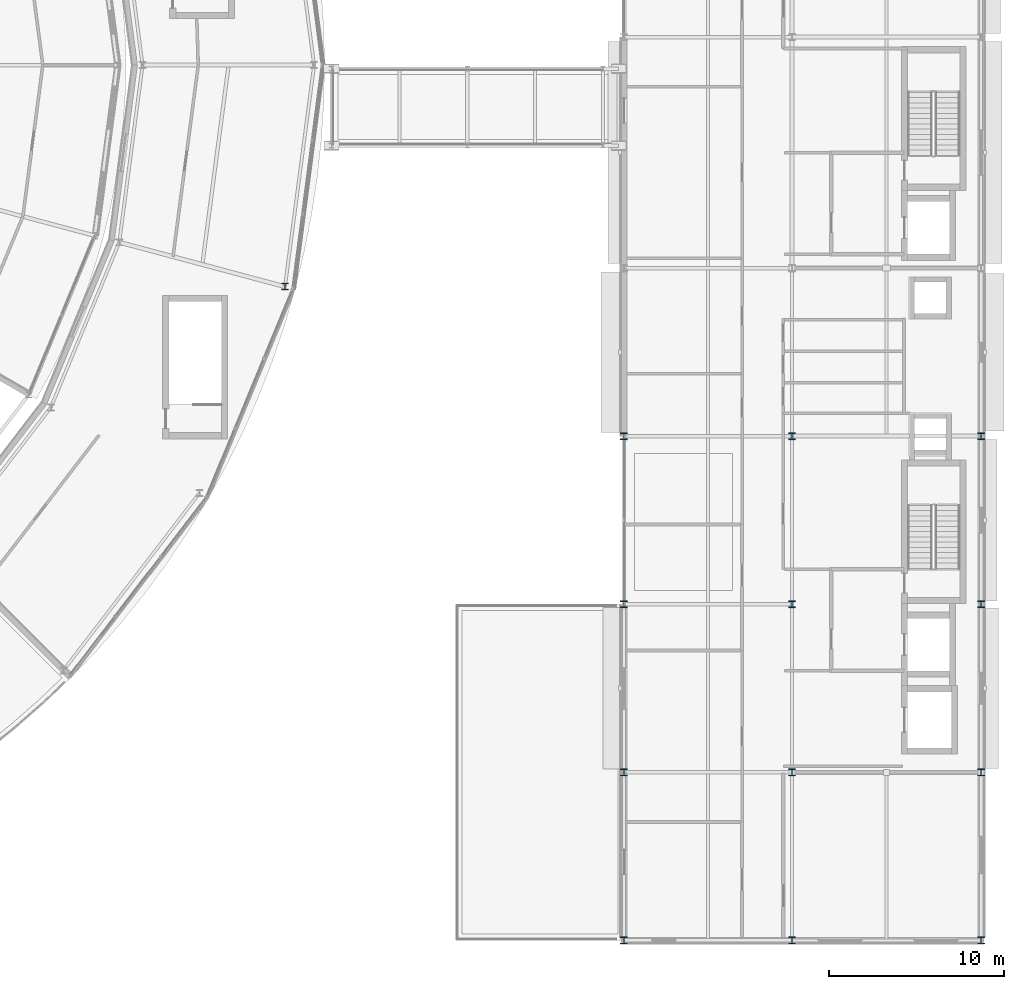
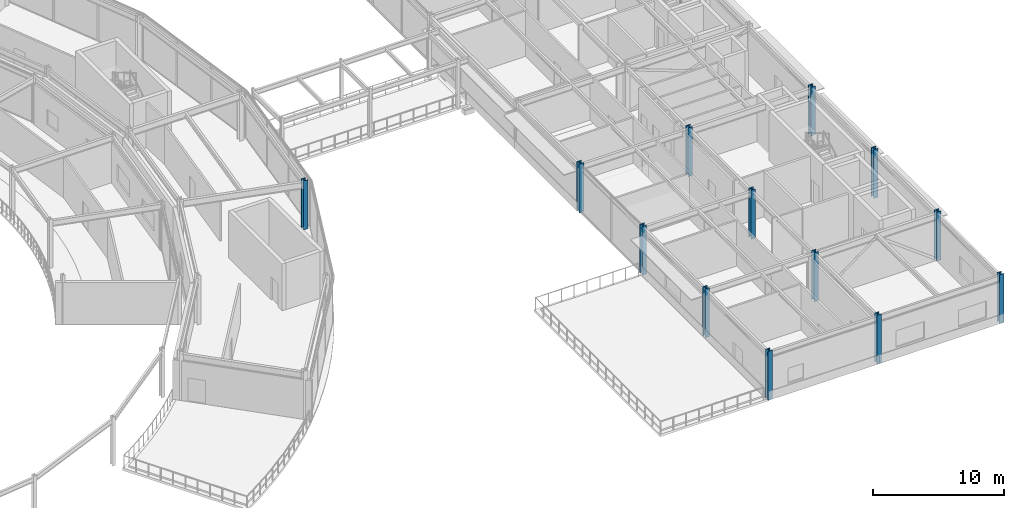
# One storey, part 17 of 157: 13 columns.
"""IFC4 building model written with IfcOpenShell, lengths in metres."""

from ifc_helpers import new_model, si_unit, direction, frame, origin, origin_2d, place, context, subcontext, project, spatial, i_section, extrude, material, material_profile, profile_set, type_object, element, save


model = new_model("IFC4")

# Units and contexts
model_context = context("Model", 3, precision=1e-05, world=origin(), true_north=direction((0.0, 1.0)))
body_context = subcontext(model_context, "Body", "Model", "MODEL_VIEW")
ifc_project = project(units=[si_unit("LENGTHUNIT", "METRE"), si_unit("AREAUNIT", "SQUARE_METRE"), si_unit("VOLUMEUNIT", "CUBIC_METRE"), si_unit("PLANEANGLEUNIT", "RADIAN"), si_unit("MASSUNIT", "GRAM", prefix="KILO")], contexts=[model_context])

# Site, building, storey
site_placement = place(None, origin())
site = spatial("IfcSite", under=ifc_project, at=site_placement, CompositionType="ELEMENT")
building_placement = place(site_placement, origin())
building = spatial("IfcBuilding", under=site, at=building_placement, Name="Almandine Court Research Institute", CompositionType="ELEMENT")
storey_placement = place(building_placement, frame((0.0, 0.0, 5.25)))
storey = spatial("IfcBuildingStorey", under=building, at=storey_placement, Name="L01", CompositionType="ELEMENT", Elevation=5.25)

# Columns
ifc_material = material(Name="Steel ASTM A992 Grade 50", Category="steel")
ifc_material_profile_1 = material_profile(ifc_material, i_section(OverallWidth=0.39794921875, OverallDepth=0.386962890625, WebThickness=0.02392578125, FlangeThickness=0.0390625, at=origin_2d()), Name="W360x262")
ifc_profile_set_1 = profile_set([ifc_material_profile_1], Name="Steel ASTM A992 Grade 50")
column_type_1 = type_object("IfcColumnType", Name="Col-C-W01", PredefinedType="COLUMN", material=ifc_profile_set_1)
for number, where, z_axis, x_axis, name in (
    (1, (153.60009765625, 15.60009765625, 0.0), (0.0, 0.0, 1.0), (1.0, 0.0, 0.0), "L01 V4 Column V4-X2Y2"),
    (2, (153.60009765625, 25.199951171875, 0.0), (0.0, 0.0, 1.0), (1.0, 0.0, 0.0), "L01 V4 Column V4-X2Y3"),
    (3, (153.60009765625, 34.800048828125, 0.0), (0.0, 0.0, 1.0), (1.0, 0.0, 0.0), "L01 V4 Column V4-X2Y4"),
    (4, (163.199951171875, 15.60009765625, 0.0), (0.0, 0.0, 1.0), (1.0, 0.0, 0.0), "L01 V4 Column V4-X3Y2"),
    (5, (163.199951171875, 25.199951171875, 0.0), (0.0, 0.0, 1.0), (1.0, 0.0, 0.0), "L01 V4 Column V4-X3Y3"),
    (6, (163.199951171875, 34.800048828125, 0.0), (0.0, 0.0, 1.0), (1.0, 0.0, 0.0), "L01 V4 Column V4-X3Y4"),
):
    element("IfcColumn", number, at=place(storey_placement, frame(where, z_axis=z_axis, x_axis=x_axis)), inside=storey, type_object=column_type_1, Name=name, PredefinedType="COLUMN", context=body_context, shape_type="SweptSolid", body=[
        extrude(i_section(OverallWidth=0.39794921875, OverallDepth=0.386962890625, WebThickness=0.02392578125, FlangeThickness=0.0390625, at=origin_2d()), origin(), (0.0, 0.0, 1.0), 4.550048828125),
    ])
ifc_material_profile_2 = material_profile(ifc_material, i_section(OverallWidth=0.39794921875, OverallDepth=0.386962890625, WebThickness=0.02392578125, FlangeThickness=0.0390625, at=origin_2d()), Name="W360x262")
ifc_profile_set_2 = profile_set([ifc_material_profile_2], Name="Steel ASTM A992 Grade 50")
column_type_2 = type_object("IfcColumnType", Name="Col-C-W01-E", PredefinedType="COLUMN", material=ifc_profile_set_2)
for number, where, z_axis, x_axis, name in (
    (7, (153.60009765625, 6.0, 0.0), (0.0, 0.0, 1.0), (1.0, 0.0, 0.0), "L01 V4 Column V4-X2Y1"),
    (8, (163.199951171875, 6.0, 0.0), (0.0, 0.0, 1.0), (1.0, 0.0, 0.0), "L01 V4 Column V4-X3Y1"),
    (9, (174.0, 6.0, 0.0), (0.0, 0.0, 1.0), (1.0, 0.0, 0.0), "L01 V4 Column V4-X4Y1"),
    (10, (174.0, 15.60009765625, 0.0), (0.0, 0.0, 1.0), (1.0, 0.0, 0.0), "L01 V4 Column V4-X4Y2"),
    (11, (174.0, 25.199951171875, 0.0), (0.0, 0.0, 1.0), (1.0, 0.0, 0.0), "L01 V4 Column V4-X4Y3"),
    (12, (174.0, 34.800048828125, 0.0), (0.0, 0.0, 1.0), (1.0, 0.0, 0.0), "L01 V4 Column V4-X4Y4"),
):
    element("IfcColumn", number, at=place(storey_placement, frame(where, z_axis=z_axis, x_axis=x_axis)), inside=storey, type_object=column_type_2, Name=name, PredefinedType="COLUMN", context=body_context, shape_type="SweptSolid", body=[
        extrude(i_section(OverallWidth=0.39794921875, OverallDepth=0.386962890625, WebThickness=0.02392578125, FlangeThickness=0.0390625, at=origin_2d()), origin(), (0.0, 0.0, 1.0), 4.550048828125),
    ])
ifc_material_profile_3 = material_profile(ifc_material, i_section(OverallWidth=0.373046875, OverallDepth=0.367919921875, WebThickness=0.01708984375, FlangeThickness=0.027099609375, at=origin_2d()), Name="W360x179")
ifc_profile_set_3 = profile_set([ifc_material_profile_3], Name="Steel ASTM A992 Grade 50")
column_type_3 = type_object("IfcColumnType", Name="Col-C-W03-E", PredefinedType="COLUMN", material=ifc_profile_set_3)
column_placement = place(storey_placement, frame((134.23388671875, 43.343994140625, 0.0), z_axis=(0.0, 0.0, 1.0), x_axis=(1.0, 0.0, 0.0)))
element("IfcColumn", 13, at=column_placement, inside=storey, type_object=column_type_3, Name="L01 V5 Column V5-OUT-S23", PredefinedType="COLUMN", context=body_context, shape_type="SweptSolid", body=[
    extrude(i_section(OverallWidth=0.373046875, OverallDepth=0.367919921875, WebThickness=0.01708984375, FlangeThickness=0.027099609375, at=origin_2d()), origin(), (0.0, 0.0, 1.0), 4.550048828125),
])

save(model, "model.ifc")
